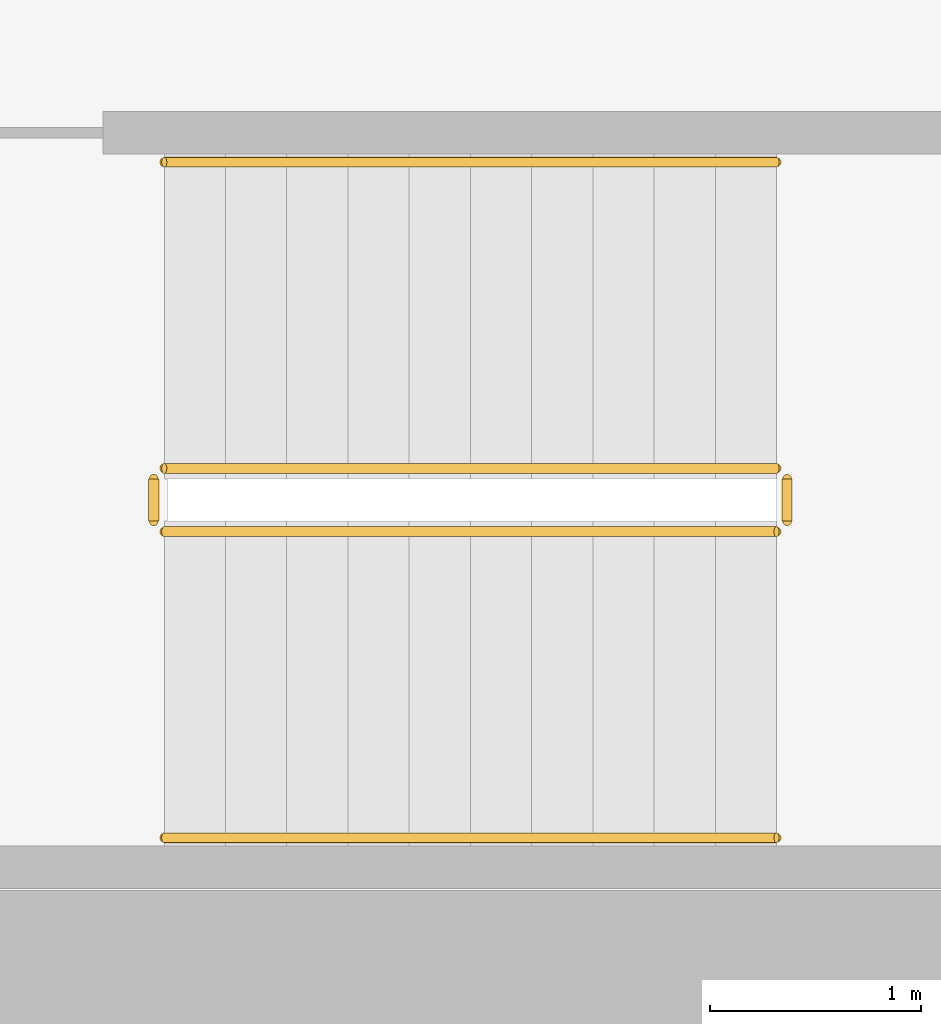
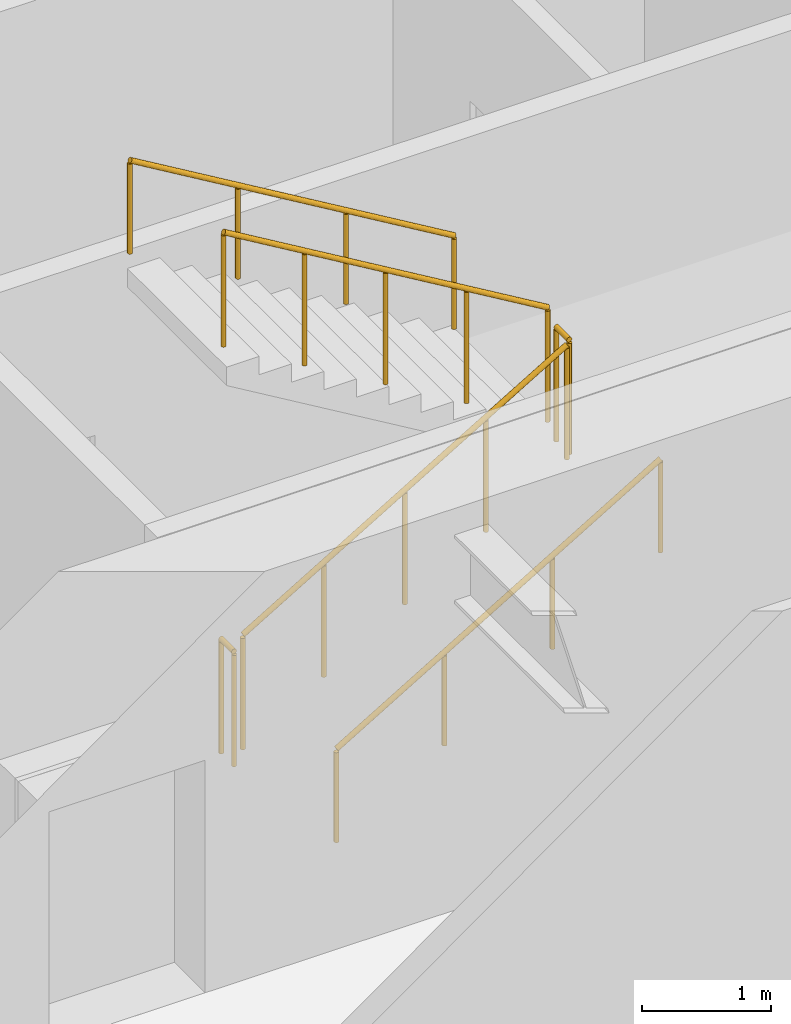
# One storey, part 19 of 20: 6 railings.
"""IFC4 building model written with IfcOpenShell, lengths in metres."""

from ifc_helpers import new_model, si_unit, direction, frame, origin, origin_2d, place, context, subcontext, project, spatial, circle, extrude, material, type_object, element, save


model = new_model("IFC4")

# Units and contexts
model_context = context("Model", 3, precision=1e-05, world=origin(), true_north=direction((0.0, 1.0)))
body_context = subcontext(model_context, "Body", "Model", "MODEL_VIEW")
ifc_project = project(units=[si_unit("LENGTHUNIT", "METRE"), si_unit("AREAUNIT", "SQUARE_METRE"), si_unit("VOLUMEUNIT", "CUBIC_METRE"), si_unit("PLANEANGLEUNIT", "RADIAN"), si_unit("MASSUNIT", "GRAM", prefix="KILO")], contexts=[model_context])

# Site, building, storey
site_placement = place(None, origin())
site = spatial("IfcSite", under=ifc_project, at=site_placement, CompositionType="ELEMENT")
building_placement = place(site_placement, origin())
building = spatial("IfcBuilding", under=site, at=building_placement, Name="Putna Gate Headquarters", CompositionType="ELEMENT")
storey_placement = place(building_placement, frame((0.0, 0.0, 58.199951171875)))
storey = spatial("IfcBuildingStorey", under=building, at=storey_placement, Name="L13", CompositionType="ELEMENT", Elevation=58.199951171875)

# Railings
ifc_material_1 = material(Name="Powder-coated steel stair guardrail", Category="steel")
railing_type_1 = type_object("IfcRailingType", Name="RAIL-STAIR-GUARD-1100", PredefinedType="GUARDRAIL", material=ifc_material_1)
railing_1_placement = place(storey_placement, frame((57.89990234375, 21.10009765625, 0.1728515625)))
element("IfcRailing", 1, at=railing_1_placement, inside=storey, type_object=railing_type_1, Name="L13 ST2 stair guard 1", PredefinedType="GUARDRAIL", context=body_context, shape_type="SweptSolid", body=[
    extrude(circle(Radius=0.02392578125, at=origin_2d()), frame((0.0, 0.0, 1.076171875), z_axis=(0.859160404282, 0.0, 0.51170636083), x_axis=(0.0, 1.0, 0.0)), (0.0, 0.0, 1.0), 3.37548828125),
    extrude(circle(Radius=0.02099609375, at=origin_2d()), origin(), (0.0, 0.0, 1.0), 1.052001953125),
    extrude(circle(Radius=0.02099609375, at=origin_2d()), frame((0.72509765625, 0.0, 0.431884765625)), (0.0, 0.0, 1.0), 1.052001953125),
    extrude(circle(Radius=0.02099609375, at=origin_2d()), frame((1.4501953125, 0.0, 0.86376953125)), (0.0, 0.0, 1.0), 1.052001953125),
    extrude(circle(Radius=0.02099609375, at=origin_2d()), frame((2.175048828125, 0.0, 1.29541015625)), (0.0, 0.0, 1.0), 1.052001953125),
    extrude(circle(Radius=0.02099609375, at=origin_2d()), frame((2.900146484375, 0.0, 1.727294921875)), (0.0, 0.0, 1.0), 1.052001953125),
])
railing_2_placement = place(storey_placement, frame((60.85009765625, 21.14990234375, 1.900146484375)))
element("IfcRailing", 2, at=railing_2_placement, inside=storey, type_object=railing_type_1, Name="L13 ST2 stair guard 2", PredefinedType="GUARDRAIL", context=body_context, shape_type="SweptSolid", body=[
    extrude(circle(Radius=0.02392578125, at=origin_2d()), frame((0.0, 0.0, 1.076171875), z_axis=(0.0, 1.0, 0.0), x_axis=(-1.0, 0.0, 0.0)), (0.0, 0.0, 1.0), 0.2001953125),
    extrude(circle(Radius=0.02099609375, at=origin_2d()), origin(), (0.0, 0.0, 1.0), 1.052001953125),
    extrude(circle(Radius=0.02099609375, at=origin_2d()), frame((0.0, 0.2001953125, 0.0)), (0.0, 0.0, 1.0), 1.052001953125),
])
railing_3_placement = place(storey_placement, frame((60.800048828125, 21.39990234375, 2.07275390625)))
element("IfcRailing", 3, at=railing_3_placement, inside=storey, type_object=railing_type_1, Name="L13 ST2 stair guard 3", PredefinedType="GUARDRAIL", context=body_context, shape_type="SweptSolid", body=[
    extrude(circle(Radius=0.02392578125, at=origin_2d()), frame((0.0, 0.0, 1.076171875), z_axis=(-0.859160404282, 0.0, 0.51170636083), x_axis=(0.0, -1.0, 0.0)), (0.0, 0.0, 1.0), 3.37548828125),
    extrude(circle(Radius=0.02099609375, at=origin_2d()), origin(), (0.0, 0.0, 1.0), 1.052001953125),
    extrude(circle(Radius=0.02099609375, at=origin_2d()), frame((-0.72509765625, 0.0, 0.431884765625)), (0.0, 0.0, 1.0), 1.052001953125),
    extrude(circle(Radius=0.02099609375, at=origin_2d()), frame((-1.4501953125, 0.0, 0.86376953125)), (0.0, 0.0, 1.0), 1.052001953125),
    extrude(circle(Radius=0.02099609375, at=origin_2d()), frame((-2.175048828125, 0.0, 1.29541015625)), (0.0, 0.0, 1.0), 1.052001953125),
    extrude(circle(Radius=0.02099609375, at=origin_2d()), frame((-2.900146484375, 0.0, 1.727294921875)), (0.0, 0.0, 1.0), 1.052001953125),
])
railing_4_placement = place(storey_placement, frame((57.85009765625, 21.14990234375, 0.0)))
element("IfcRailing", 4, at=railing_4_placement, inside=storey, type_object=railing_type_1, Name="L13 ST2 stair guard 4", PredefinedType="GUARDRAIL", context=body_context, shape_type="SweptSolid", body=[
    extrude(circle(Radius=0.02392578125, at=origin_2d()), frame((0.0, 0.0, 1.076171875), z_axis=(0.0, 1.0, 0.0), x_axis=(-1.0, 0.0, 0.0)), (0.0, 0.0, 1.0), 0.2001953125),
    extrude(circle(Radius=0.02099609375, at=origin_2d()), origin(), (0.0, 0.0, 1.0), 1.052001953125),
    extrude(circle(Radius=0.02099609375, at=origin_2d()), frame((0.0, 0.2001953125, 0.0)), (0.0, 0.0, 1.0), 1.052001953125),
])
ifc_material_2 = material(Name="Brushed stainless steel handrail", Category="steel")
railing_type_2 = type_object("IfcRailingType", Name="RAIL-STAIR-HAND-900", PredefinedType="HANDRAIL", material=ifc_material_2)
railing_5_placement = place(storey_placement, frame((57.89990234375, 19.64990234375, 0.1728515625)))
element("IfcRailing", 5, at=railing_5_placement, inside=storey, type_object=railing_type_2, Name="L13 ST2 stair handrail 1", PredefinedType="HANDRAIL", context=body_context, shape_type="SweptSolid", body=[
    extrude(circle(Radius=0.02392578125, at=origin_2d()), frame((0.0, 0.0, 0.8759765625), z_axis=(0.859160404282, 0.0, 0.51170636083), x_axis=(0.0, 1.0, 0.0)), (0.0, 0.0, 1.0), 3.37548828125),
    extrude(circle(Radius=0.02099609375, at=origin_2d()), origin(), (0.0, 0.0, 1.0), 0.851806640625),
    extrude(circle(Radius=0.02099609375, at=origin_2d()), frame((0.966796875, 0.0, 0.57568359375)), (0.0, 0.0, 1.0), 0.851806640625),
    extrude(circle(Radius=0.02099609375, at=origin_2d()), frame((1.933349609375, 0.0, 1.151611328125)), (0.0, 0.0, 1.0), 0.851806640625),
    extrude(circle(Radius=0.02099609375, at=origin_2d()), frame((2.900146484375, 0.0, 1.727294921875)), (0.0, 0.0, 1.0), 0.851806640625),
])
railing_6_placement = place(storey_placement, frame((60.800048828125, 22.85009765625, 2.07275390625)))
element("IfcRailing", 6, at=railing_6_placement, inside=storey, type_object=railing_type_2, Name="L13 ST2 stair handrail 2", PredefinedType="HANDRAIL", context=body_context, shape_type="SweptSolid", body=[
    extrude(circle(Radius=0.02392578125, at=origin_2d()), frame((0.0, 0.0, 0.8759765625), z_axis=(-0.859160404282, 0.0, 0.51170636083), x_axis=(0.0, -1.0, 0.0)), (0.0, 0.0, 1.0), 3.37548828125),
    extrude(circle(Radius=0.02099609375, at=origin_2d()), origin(), (0.0, 0.0, 1.0), 0.851806640625),
    extrude(circle(Radius=0.02099609375, at=origin_2d()), frame((-0.966796875, 0.0, 0.57568359375)), (0.0, 0.0, 1.0), 0.851806640625),
    extrude(circle(Radius=0.02099609375, at=origin_2d()), frame((-1.933349609375, 0.0, 1.151611328125)), (0.0, 0.0, 1.0), 0.851806640625),
    extrude(circle(Radius=0.02099609375, at=origin_2d()), frame((-2.900146484375, 0.0, 1.727294921875)), (0.0, 0.0, 1.0), 0.851806640625),
])

save(model, "model.ifc")
